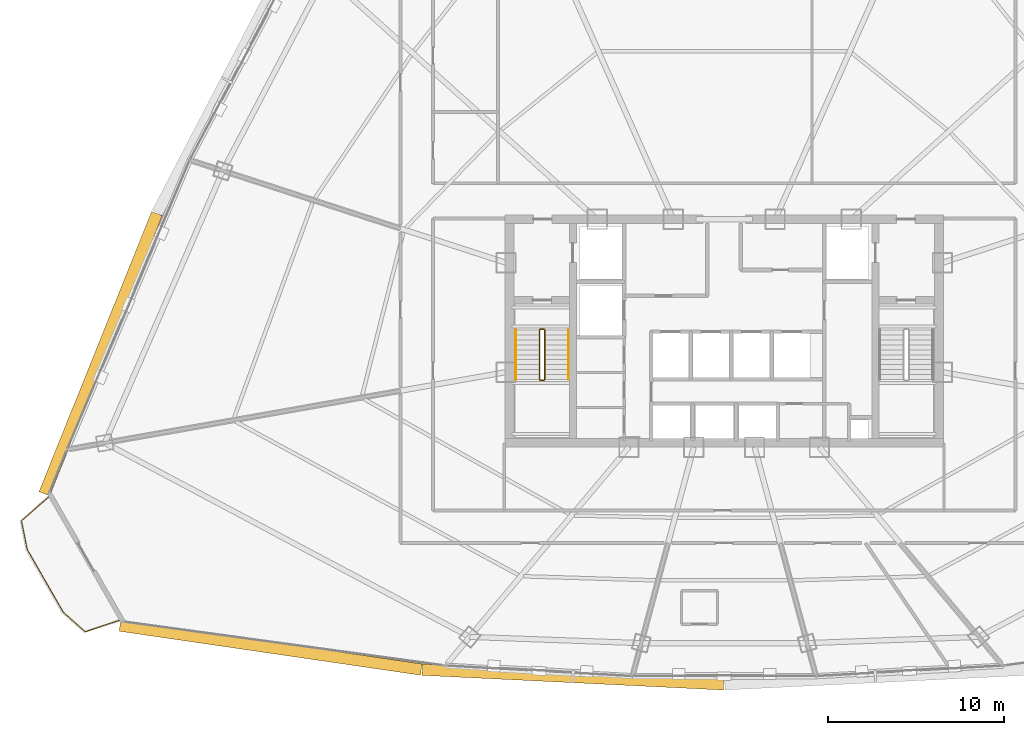
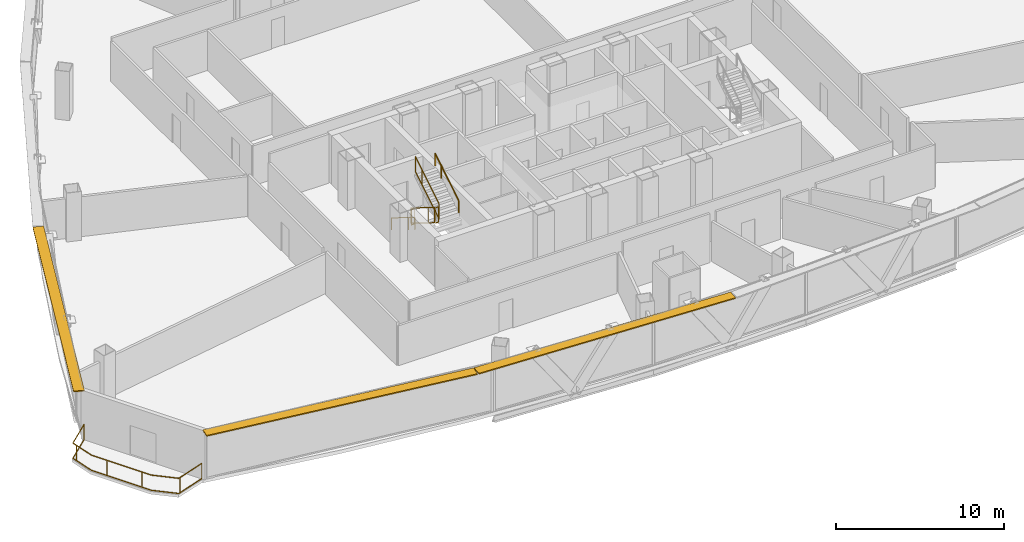
# One storey, part 34 of 37: 7 railings, 3 shading devices.
"""IFC4 building model written with IfcOpenShell, lengths in metres."""

from ifc_helpers import new_model, si_unit, direction, frame, origin, origin_2d, place, context, subcontext, project, spatial, rectangle, extrude, source, transform, mapped, material, layer, layer_set, type_object, element, save


model = new_model("IFC4")

# Units and contexts
model_context = context("Model", 3, precision=1e-05, world=origin(), true_north=direction((0.0, 1.0)))
body_context = subcontext(model_context, "Body", "Model", "MODEL_VIEW")
ifc_project = project(units=[si_unit("LENGTHUNIT", "METRE"), si_unit("AREAUNIT", "SQUARE_METRE"), si_unit("VOLUMEUNIT", "CUBIC_METRE"), si_unit("PLANEANGLEUNIT", "RADIAN"), si_unit("MASSUNIT", "GRAM", prefix="KILO"), si_unit("THERMODYNAMICTEMPERATUREUNIT", "KELVIN"), si_unit("POWERUNIT", "WATT")], contexts=[model_context])

# Site, building, storey
site_placement = place(None, origin())
site = spatial("IfcSite", under=ifc_project, at=site_placement, CompositionType="ELEMENT")
building_placement = place(site_placement, origin())
building = spatial("IfcBuilding", under=site, at=building_placement, Name="Yunzhuo Pagoda Commons", CompositionType="ELEMENT")
storey_placement = place(building_placement, frame((0.0, 0.0, 199.9599609375)))
storey = spatial("IfcBuildingStorey", under=building, at=storey_placement, Name="L50", CompositionType="ELEMENT", Elevation=199.9599609375)

# Railings
ifc_material = material(Name="Anodized aluminium 6063-T6", Category="aluminium")
railing_type_1 = type_object("IfcRailingType", Name="GR-ST1 Stair Well Guardrail 1150", PredefinedType="GUARDRAIL", material=ifc_material)
railing_1_placement = place(storey_placement, frame((37.5, 33.89990234375, 0.1728515625)))
element("IfcRailing", 1, at=railing_1_placement, inside=storey, type_object=railing_type_1, Name="L50 ST1 stair guard 1", PredefinedType="GUARDRAIL", context=body_context, shape_type="SweptSolid", body=[
    extrude(rectangle(XDim=0.048095703125, YDim=0.048095703125, at=origin_2d()), frame((0.0, 0.0, 1.1259765625), z_axis=(0.0, -0.851069175582, 0.525053576669), x_axis=(1.0, 0.0, 0.0)), (0.0, 0.0, 1.0), 3.289794921875),
    extrude(rectangle(XDim=0.048095703125, YDim=0.048095703125, at=origin_2d()), frame((0.0, 0.0, 0.02392578125), z_axis=(0.0, -0.851069175582, 0.525053576669), x_axis=(1.0, 0.0, 0.0)), (0.0, 0.0, 1.0), 3.289794921875),
    extrude(rectangle(XDim=0.0419921875, YDim=0.0419921875, at=origin_2d()), origin(), (0.0, 0.0, 1.0), 1.101806640625),
    extrude(rectangle(XDim=0.0419921875, YDim=0.0419921875, at=origin_2d()), frame((0.0, -2.04248046875, 1.260009765625)), (0.0, 0.0, 1.0), 1.101806640625),
    extrude(rectangle(XDim=0.0419921875, YDim=0.0419921875, at=origin_2d()), frame((0.0, -2.7998046875, 1.727294921875)), (0.0, 0.0, 1.0), 1.101806640625),
])
railing_2_placement = place(storey_placement, frame((37.550048828125, 31.050048828125, 1.900146484375)))
element("IfcRailing", 2, at=railing_2_placement, inside=storey, type_object=railing_type_1, Name="L50 ST1 stair guard 2", PredefinedType="GUARDRAIL", context=body_context, shape_type="SweptSolid", body=[
    extrude(rectangle(XDim=0.048095703125, YDim=0.048095703125, at=origin_2d()), frame((0.0, 0.0, 1.1259765625), z_axis=(1.0, 0.0, 0.0), x_axis=(0.0, 1.0, 0.0)), (0.0, 0.0, 1.0), 0.199951171875),
    extrude(rectangle(XDim=0.048095703125, YDim=0.048095703125, at=origin_2d()), frame((0.0, 0.0, 0.02392578125), z_axis=(1.0, 0.0, 0.0), x_axis=(0.0, 1.0, 0.0)), (0.0, 0.0, 1.0), 0.199951171875),
    extrude(rectangle(XDim=0.0419921875, YDim=0.0419921875, at=origin_2d()), origin(), (0.0, 0.0, 1.0), 1.101806640625),
    extrude(rectangle(XDim=0.0419921875, YDim=0.0419921875, at=origin_2d()), frame((0.199951171875, 0.0, 0.0)), (0.0, 0.0, 1.0), 1.101806640625),
])
railing_3_placement = place(storey_placement, frame((37.800048828125, 31.10009765625, 2.07275390625)))
element("IfcRailing", 3, at=railing_3_placement, inside=storey, type_object=railing_type_1, Name="L50 ST1 stair guard 3", PredefinedType="GUARDRAIL", context=body_context, shape_type="SweptSolid", body=[
    extrude(rectangle(XDim=0.048095703125, YDim=0.048095703125, at=origin_2d()), frame((0.0, 0.0, 1.1259765625), z_axis=(0.0, 0.851069175582, 0.525053576669), x_axis=(-1.0, 0.0, 0.0)), (0.0, 0.0, 1.0), 3.289794921875),
    extrude(rectangle(XDim=0.048095703125, YDim=0.048095703125, at=origin_2d()), frame((0.0, 0.0, 0.02392578125), z_axis=(0.0, 0.851069175582, 0.525053576669), x_axis=(-1.0, 0.0, 0.0)), (0.0, 0.0, 1.0), 3.289794921875),
    extrude(rectangle(XDim=0.0419921875, YDim=0.0419921875, at=origin_2d()), origin(), (0.0, 0.0, 1.0), 1.101806640625),
    extrude(rectangle(XDim=0.0419921875, YDim=0.0419921875, at=origin_2d()), frame((0.0, 2.04248046875, 1.260009765625)), (0.0, 0.0, 1.0), 1.101806640625),
    extrude(rectangle(XDim=0.0419921875, YDim=0.0419921875, at=origin_2d()), frame((0.0, 2.7998046875, 1.727294921875)), (0.0, 0.0, 1.0), 1.101806640625),
])
railing_4_placement = place(storey_placement, frame((37.550048828125, 33.949951171875, 0.0)))
element("IfcRailing", 4, at=railing_4_placement, inside=storey, type_object=railing_type_1, Name="L50 ST1 stair guard 4", PredefinedType="GUARDRAIL", context=body_context, shape_type="SweptSolid", body=[
    extrude(rectangle(XDim=0.048095703125, YDim=0.048095703125, at=origin_2d()), frame((0.0, 0.0, 1.1259765625), z_axis=(1.0, 0.0, 0.0), x_axis=(0.0, 1.0, 0.0)), (0.0, 0.0, 1.0), 0.199951171875),
    extrude(rectangle(XDim=0.048095703125, YDim=0.048095703125, at=origin_2d()), frame((0.0, 0.0, 0.02392578125), z_axis=(1.0, 0.0, 0.0), x_axis=(0.0, 1.0, 0.0)), (0.0, 0.0, 1.0), 0.199951171875),
    extrude(rectangle(XDim=0.0419921875, YDim=0.0419921875, at=origin_2d()), origin(), (0.0, 0.0, 1.0), 1.101806640625),
    extrude(rectangle(XDim=0.0419921875, YDim=0.0419921875, at=origin_2d()), frame((0.199951171875, 0.0, 0.0)), (0.0, 0.0, 1.0), 1.101806640625),
])
railing_type_2 = type_object("IfcRailingType", Name="HR-ST1 Stair Handrail 900", PredefinedType="HANDRAIL", material=ifc_material)
railing_5_placement = place(storey_placement, frame((36.14990234375, 33.89990234375, 0.1728515625)))
element("IfcRailing", 5, at=railing_5_placement, inside=storey, type_object=railing_type_2, Name="L50 ST1 stair handrail 1", PredefinedType="HANDRAIL", context=body_context, shape_type="SweptSolid", body=[
    extrude(rectangle(XDim=0.048095703125, YDim=0.048095703125, at=origin_2d()), frame((0.0, 0.0, 0.8759765625), z_axis=(0.0, -0.851069175582, 0.525053576669), x_axis=(1.0, 0.0, 0.0)), (0.0, 0.0, 1.0), 3.289794921875),
    extrude(rectangle(XDim=0.0419921875, YDim=0.0419921875, at=origin_2d()), origin(), (0.0, 0.0, 1.0), 0.851806640625),
    extrude(rectangle(XDim=0.0419921875, YDim=0.0419921875, at=origin_2d()), frame((0.0, -2.04248046875, 1.260009765625)), (0.0, 0.0, 1.0), 0.851806640625),
    extrude(rectangle(XDim=0.0419921875, YDim=0.0419921875, at=origin_2d()), frame((0.0, -2.7998046875, 1.727294921875)), (0.0, 0.0, 1.0), 0.851806640625),
])
railing_6_placement = place(storey_placement, frame((39.14990234375, 31.10009765625, 2.07275390625)))
element("IfcRailing", 6, at=railing_6_placement, inside=storey, type_object=railing_type_2, Name="L50 ST1 stair handrail 2", PredefinedType="HANDRAIL", context=body_context, shape_type="SweptSolid", body=[
    extrude(rectangle(XDim=0.048095703125, YDim=0.048095703125, at=origin_2d()), frame((0.0, 0.0, 0.8759765625), z_axis=(0.0, 0.851069175582, 0.525053576669), x_axis=(-1.0, 0.0, 0.0)), (0.0, 0.0, 1.0), 3.289794921875),
    extrude(rectangle(XDim=0.0419921875, YDim=0.0419921875, at=origin_2d()), origin(), (0.0, 0.0, 1.0), 0.851806640625),
    extrude(rectangle(XDim=0.0419921875, YDim=0.0419921875, at=origin_2d()), frame((0.0, 2.04248046875, 1.260009765625)), (0.0, 0.0, 1.0), 0.851806640625),
    extrude(rectangle(XDim=0.0419921875, YDim=0.0419921875, at=origin_2d()), frame((0.0, 2.7998046875, 1.727294921875)), (0.0, 0.0, 1.0), 0.851806640625),
])
railing_type_3 = type_object("IfcRailingType", Name="RL-BAL1 Exterior Terrace & Balcony Balustrade 1150", PredefinedType="BALUSTRADE", material=ifc_material)
railing_7_placement = place(storey_placement, frame((9.6123046875, 24.421875, 0.0)))
element("IfcRailing", 7, at=railing_7_placement, inside=storey, type_object=railing_type_3, Name="L50 corner balcony balustrade V1", PredefinedType="BALUSTRADE", context=body_context, shape_type="SweptSolid", body=[
    extrude(rectangle(XDim=0.048095703125, YDim=0.048095703125, at=origin_2d()), frame((0.0, 0.0, 1.1259765625), z_axis=(-0.753933830692, -0.656950362614, 0.0), x_axis=(0.656950362614, -0.753933830692, 0.0)), (0.0, 0.0, 1.0), 2.05908203125),
    extrude(rectangle(XDim=0.048095703125, YDim=0.048095703125, at=origin_2d()), frame((0.0, 0.0, 0.02392578125), z_axis=(-0.753933830692, -0.656950362614, 0.0), x_axis=(0.656950362614, -0.753933830692, 0.0)), (0.0, 0.0, 1.0), 2.05908203125),
    extrude(rectangle(XDim=0.048095703125, YDim=0.048095703125, at=origin_2d()), frame((-1.552490234375, -1.352783203125, 1.1259765625), z_axis=(0.196031545686, -0.980597589787, 0.0), x_axis=(0.980597589787, 0.196031545686, 0.0)), (0.0, 0.0, 1.0), 1.6650390625),
    extrude(rectangle(XDim=0.048095703125, YDim=0.048095703125, at=origin_2d()), frame((-1.552490234375, -1.352783203125, 0.02392578125), z_axis=(0.196031545686, -0.980597589787, 0.0), x_axis=(0.980597589787, 0.196031545686, 0.0)), (0.0, 0.0, 1.0), 1.6650390625),
    extrude(rectangle(XDim=0.048095703125, YDim=0.048095703125, at=origin_2d()), frame((-1.22607421875, -2.985595703125, 1.1259765625), z_axis=(0.497919550018, -0.867223224844, 0.0), x_axis=(0.867223224844, 0.497919550018, 0.0)), (0.0, 0.0, 1.0), 4.1171875),
    extrude(rectangle(XDim=0.048095703125, YDim=0.048095703125, at=origin_2d()), frame((-1.22607421875, -2.985595703125, 0.02392578125), z_axis=(0.497919550018, -0.867223224844, 0.0), x_axis=(0.867223224844, 0.497919550018, 0.0)), (0.0, 0.0, 1.0), 4.1171875),
    extrude(rectangle(XDim=0.048095703125, YDim=0.048095703125, at=origin_2d()), frame((0.823974609375, -6.55615234375, 1.1259765625), z_axis=(0.748072290348, -0.663617245416, 0.0), x_axis=(0.663617245416, 0.748072290348, 0.0)), (0.0, 0.0, 1.0), 1.6650390625),
    extrude(rectangle(XDim=0.048095703125, YDim=0.048095703125, at=origin_2d()), frame((0.823974609375, -6.55615234375, 0.02392578125), z_axis=(0.748072290348, -0.663617245416, 0.0), x_axis=(0.663617245416, 0.748072290348, 0.0)), (0.0, 0.0, 1.0), 1.6650390625),
    extrude(rectangle(XDim=0.048095703125, YDim=0.048095703125, at=origin_2d()), frame((2.069580078125, -7.6611328125, 1.1259765625), z_axis=(0.947419062147, 0.319995501031, 0.0), x_axis=(-0.319995501031, 0.947419062147, 0.0)), (0.0, 0.0, 1.0), 2.05908203125),
    extrude(rectangle(XDim=0.048095703125, YDim=0.048095703125, at=origin_2d()), frame((2.069580078125, -7.6611328125, 0.02392578125), z_axis=(0.947419062147, 0.319995501031, 0.0), x_axis=(-0.319995501031, 0.947419062147, 0.0)), (0.0, 0.0, 1.0), 2.05908203125),
    extrude(rectangle(XDim=0.0419921875, YDim=0.0419921875, at=origin_2d()), origin(), (0.0, 0.0, 1.0), 1.101806640625),
    extrude(rectangle(XDim=0.0419921875, YDim=0.0419921875, at=origin_2d()), frame((-1.485595703125, -1.68701171875, 0.0)), (0.0, 0.0, 1.0), 1.101806640625),
    extrude(rectangle(XDim=0.0419921875, YDim=0.0419921875, at=origin_2d()), frame((-0.6904296875, -3.91845703125, 0.0)), (0.0, 0.0, 1.0), 1.101806640625),
    extrude(rectangle(XDim=0.0419921875, YDim=0.0419921875, at=origin_2d()), frame((0.504638671875, -5.999755859375, 0.0)), (0.0, 0.0, 1.0), 1.101806640625),
    extrude(rectangle(XDim=0.0419921875, YDim=0.0419921875, at=origin_2d()), frame((2.157958984375, -7.63134765625, 0.0)), (0.0, 0.0, 1.0), 1.101806640625),
    extrude(rectangle(XDim=0.0419921875, YDim=0.0419921875, at=origin_2d()), frame((4.0205078125, -7.002197265625, 0.0)), (0.0, 0.0, 1.0), 1.101806640625),
])

# Shading devices
ifc_layer = layer(ifc_material, 0.080078125)
ifc_layer_set = layer_set([ifc_layer], Name="Anodized aluminium 6063-T6")
shading_device_type = type_object("IfcShadingDeviceType", Name="SH-SUN1 Pagoda Horizontal Sunshade Eave 650", PredefinedType="USERDEFINED", material=ifc_layer_set)
shared_shape_1 = source(origin(), body_context, "Body", "SweptSolid", [
    extrude(rectangle(XDim=17.305419921875, YDim=0.64990234375, at=origin_2d()), origin(), (0.0, 0.0, 1.0), 0.080078125),
])
shading_device_1_placement = place(storey_placement, frame((22.2197265625, 15.860107421875, 3.4599609375), z_axis=(0.0, 0.0, 1.0), x_axis=(0.989510666697, -0.144459823108, 0.0)))
element("IfcShadingDevice", 8, at=shading_device_1_placement, inside=storey, type_object=shading_device_type, Name="L50 horizontal pagoda sunshade eave F1.1", ObjectType="SUNSHADE", PredefinedType="USERDEFINED", context=body_context, shape_type="MappedRepresentation", body=[
    mapped(shared_shape_1, transform((0.0, 0.0, 0.0), scale=1.0)),
])
shared_shape_2 = source(origin(), body_context, "Body", "SweptSolid", [
    extrude(rectangle(XDim=17.14404296875, YDim=0.64990234375, at=origin_2d()), origin(), (0.0, 0.0, 1.0), 0.080078125),
])
shading_device_2_placement = place(storey_placement, frame((39.406494140625, 14.1875, 3.4599609375), z_axis=(0.0, 0.0, 1.0), x_axis=(0.998818043775, -0.04860571396, 0.0)))
element("IfcShadingDevice", 9, at=shading_device_2_placement, inside=storey, type_object=shading_device_type, Name="L50 horizontal pagoda sunshade eave F1.2", ObjectType="SUNSHADE", PredefinedType="USERDEFINED", context=body_context, shape_type="MappedRepresentation", body=[
    mapped(shared_shape_2, transform((0.0, 0.0, 0.0), scale=1.0)),
])
shared_shape_3 = source(origin(), body_context, "Body", "SweptSolid", [
    extrude(rectangle(XDim=17.16650390625, YDim=0.64990234375, at=origin_2d()), origin(), (0.0, 0.0, 1.0), 0.080078125),
])
shading_device_3_placement = place(storey_placement, frame((12.558837890625, 32.56298828125, 3.4599609375), z_axis=(0.0, 0.0, 1.0), x_axis=(-0.372987782576, -0.927836253899, 0.0)))
element("IfcShadingDevice", 10, at=shading_device_3_placement, inside=storey, type_object=shading_device_type, Name="L50 horizontal pagoda sunshade eave F3.4", ObjectType="SUNSHADE", PredefinedType="USERDEFINED", context=body_context, shape_type="MappedRepresentation", body=[
    mapped(shared_shape_3, transform((0.0, 0.0, 0.0), scale=1.0)),
])

save(model, "model.ifc")
